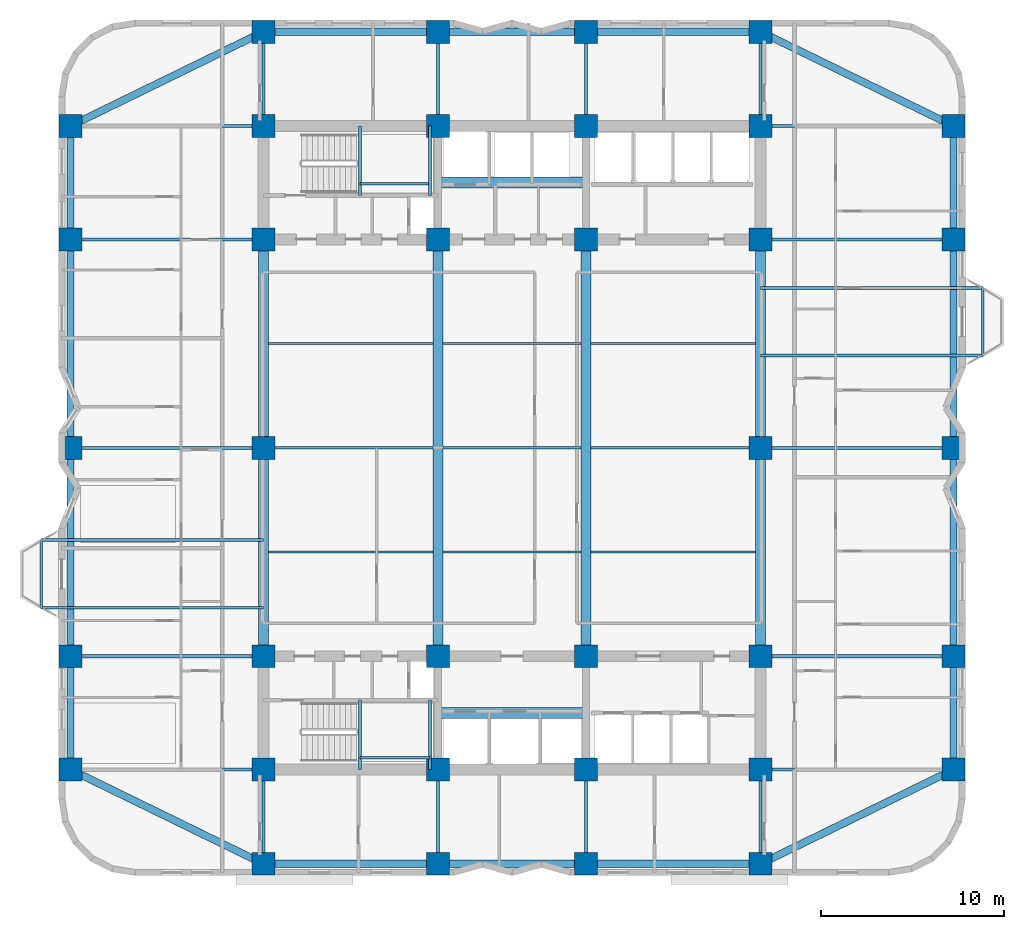
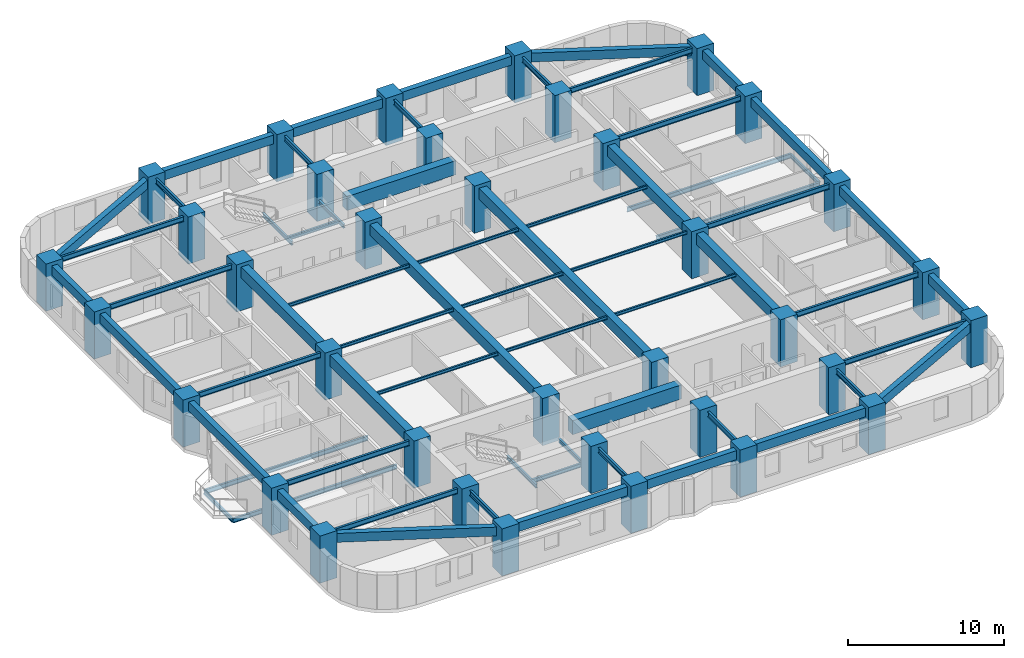
# One storey, part 1 of 11: 65 beams, 36 columns.
"""IFC4 building model written with IfcOpenShell, lengths in metres."""

from ifc_helpers import new_model, si_unit, direction, frame, origin, origin_2d, place, context, subcontext, project, spatial, rectangle, i_section, extrude, material, material_profile, profile_set, type_object, element, save


model = new_model("IFC4")

# Units and contexts
model_context = context("Model", 3, precision=1e-05, world=origin(), true_north=direction((0.0, 1.0)))
body_context = subcontext(model_context, "Body", "Model", "MODEL_VIEW")
ifc_project = project(units=[si_unit("LENGTHUNIT", "METRE"), si_unit("AREAUNIT", "SQUARE_METRE"), si_unit("VOLUMEUNIT", "CUBIC_METRE"), si_unit("PLANEANGLEUNIT", "RADIAN"), si_unit("MASSUNIT", "GRAM", prefix="KILO")], contexts=[model_context])

# Site, building, storey
site_placement = place(None, origin())
site = spatial("IfcSite", under=ifc_project, at=site_placement, CompositionType="ELEMENT")
building_placement = place(site_placement, origin())
building = spatial("IfcBuilding", under=site, at=building_placement, Name="Svetorya Sky Lyceum", CompositionType="ELEMENT")
storey_placement = place(building_placement, frame((0.0, 0.0, 36.199951171875)))
storey = spatial("IfcBuildingStorey", under=building, at=storey_placement, Name="L08", CompositionType="ELEMENT", Elevation=36.199951171875)

# Columns
ifc_material_1 = material(Name="Concrete C60/75", Category="concrete")
ifc_material_profile_1 = material_profile(ifc_material_1, rectangle(XDim=1.25, YDim=1.25, at=origin_2d()), Name="RC COL 1250x1250")
ifc_profile_set_1 = profile_set([ifc_material_profile_1], Name="Concrete C60/75")
column_type = type_object("IfcColumnType", Name="COL-RC-1250", PredefinedType="COLUMN", material=ifc_profile_set_1)
for number, where, z_axis, x_axis, name in (
    (1, (25.60009765625, 10.60009765625, 0.0), (0.0, 0.0, 1.0), (1.0, 0.0, 0.0), "L08 Core Column CS-11"),
    (2, (25.60009765625, 16.800048828125, 0.0), (0.0, 0.0, 1.0), (1.0, 0.0, 0.0), "L08 Core Column CS-12"),
    (3, (35.14990234375, 10.60009765625, 0.0), (0.0, 0.0, 1.0), (1.0, 0.0, 0.0), "L08 Core Column CS-21"),
    (4, (35.14990234375, 16.800048828125, 0.0), (0.0, 0.0, 1.0), (1.0, 0.0, 0.0), "L08 Core Column CS-22"),
    (5, (43.25, 10.60009765625, 0.0), (0.0, 0.0, 1.0), (1.0, 0.0, 0.0), "L08 Core Column CS-31"),
    (6, (43.25, 16.800048828125, 0.0), (0.0, 0.0, 1.0), (1.0, 0.0, 0.0), "L08 Core Column CS-32"),
    (7, (52.800048828125, 10.60009765625, 0.0), (0.0, 0.0, 1.0), (1.0, 0.0, 0.0), "L08 Core Column CS-41"),
    (8, (52.800048828125, 16.800048828125, 0.0), (0.0, 0.0, 1.0), (1.0, 0.0, 0.0), "L08 Core Column CS-42"),
    (9, (25.60009765625, 39.60009765625, 0.0), (0.0, 0.0, 1.0), (1.0, 0.0, 0.0), "L08 Core Column CN-11"),
    (10, (25.60009765625, 45.800048828125, 0.0), (0.0, 0.0, 1.0), (1.0, 0.0, 0.0), "L08 Core Column CN-12"),
    (11, (35.14990234375, 39.60009765625, 0.0), (0.0, 0.0, 1.0), (1.0, 0.0, 0.0), "L08 Core Column CN-21"),
    (12, (35.14990234375, 45.800048828125, 0.0), (0.0, 0.0, 1.0), (1.0, 0.0, 0.0), "L08 Core Column CN-22"),
    (13, (43.25, 39.60009765625, 0.0), (0.0, 0.0, 1.0), (1.0, 0.0, 0.0), "L08 Core Column CN-31"),
    (14, (43.25, 45.800048828125, 0.0), (0.0, 0.0, 1.0), (1.0, 0.0, 0.0), "L08 Core Column CN-32"),
    (15, (52.800048828125, 39.60009765625, 0.0), (0.0, 0.0, 1.0), (1.0, 0.0, 0.0), "L08 Core Column CN-41"),
    (16, (52.800048828125, 45.800048828125, 0.0), (0.0, 0.0, 1.0), (1.0, 0.0, 0.0), "L08 Core Column CN-42"),
    (17, (25.60009765625, 28.199951171875, 0.0), (0.0, 0.0, 1.0), (1.0, 0.0, 0.0), "L08 Core Column CM-W"),
    (18, (52.800048828125, 28.199951171875, 0.0), (0.0, 0.0, 1.0), (1.0, 0.0, 0.0), "L08 Core Column CM-E"),
    (19, (25.60009765625, 5.449951171875, 0.0), (0.0, 0.0, 1.0), (1.0, 0.0, 0.0), "L08 Perimeter Column S1"),
    (20, (25.60009765625, 50.949951171875, 0.0), (0.0, 0.0, 1.0), (1.0, 0.0, 0.0), "L08 Perimeter Column N1"),
    (21, (35.14990234375, 5.449951171875, 0.0), (0.0, 0.0, 1.0), (1.0, 0.0, 0.0), "L08 Perimeter Column S2"),
    (22, (35.14990234375, 50.949951171875, 0.0), (0.0, 0.0, 1.0), (1.0, 0.0, 0.0), "L08 Perimeter Column N2"),
    (23, (43.25, 5.449951171875, 0.0), (0.0, 0.0, 1.0), (1.0, 0.0, 0.0), "L08 Perimeter Column S3"),
    (24, (43.25, 50.949951171875, 0.0), (0.0, 0.0, 1.0), (1.0, 0.0, 0.0), "L08 Perimeter Column N3"),
    (25, (52.800048828125, 5.449951171875, 0.0), (0.0, 0.0, 1.0), (1.0, 0.0, 0.0), "L08 Perimeter Column S4"),
    (26, (52.800048828125, 50.949951171875, 0.0), (0.0, 0.0, 1.0), (1.0, 0.0, 0.0), "L08 Perimeter Column N4"),
    (27, (15.050048828125, 10.60009765625, 0.0), (0.0, 0.0, 1.0), (1.0, 0.0, 0.0), "L08 Perimeter Column W1"),
    (28, (63.35009765625, 10.60009765625, 0.0), (0.0, 0.0, 1.0), (1.0, 0.0, 0.0), "L08 Perimeter Column E1"),
    (29, (15.050048828125, 16.800048828125, 0.0), (0.0, 0.0, 1.0), (1.0, 0.0, 0.0), "L08 Perimeter Column W2"),
    (30, (63.35009765625, 16.800048828125, 0.0), (0.0, 0.0, 1.0), (1.0, 0.0, 0.0), "L08 Perimeter Column E2"),
    (31, (15.050048828125, 28.199951171875, 0.0), (0.0, 0.0, 1.0), (1.0, 0.0, 0.0), "L08 Perimeter Column W3"),
    (32, (63.35009765625, 28.199951171875, 0.0), (0.0, 0.0, 1.0), (1.0, 0.0, 0.0), "L08 Perimeter Column E3"),
    (33, (15.050048828125, 39.60009765625, 0.0), (0.0, 0.0, 1.0), (1.0, 0.0, 0.0), "L08 Perimeter Column W4"),
    (34, (63.35009765625, 39.60009765625, 0.0), (0.0, 0.0, 1.0), (1.0, 0.0, 0.0), "L08 Perimeter Column E4"),
    (35, (15.050048828125, 45.800048828125, 0.0), (0.0, 0.0, 1.0), (1.0, 0.0, 0.0), "L08 Perimeter Column W5"),
    (36, (63.35009765625, 45.800048828125, 0.0), (0.0, 0.0, 1.0), (1.0, 0.0, 0.0), "L08 Perimeter Column E5"),
):
    element("IfcColumn", number, at=place(storey_placement, frame(where, z_axis=z_axis, x_axis=x_axis)), inside=storey, type_object=column_type, Name=name, PredefinedType="COLUMN", context=body_context, shape_type="SweptSolid", body=[
        extrude(rectangle(XDim=1.25, YDim=1.25, at=origin_2d()), origin(), (0.0, 0.0, 1.0), 3.699951171875),
    ])

# Beams
ifc_material_profile_2 = material_profile(ifc_material_1, rectangle(XDim=0.60009765625, YDim=1.10009765625, at=origin_2d()), Name="RC COUPLING 600x1100")
ifc_profile_set_2 = profile_set([ifc_material_profile_2], Name="Concrete C60/75")
beam_type_1 = type_object("IfcBeamType", Name="BM-CPL-1100", PredefinedType="LINTEL", material=ifc_profile_set_2)
for number, where, z_axis, x_axis, name in (
    (37, (35.14990234375, 13.699951171875, 2.8701171875), (1.0, 0.0, 0.0), (0.0, 1.0, 0.0), "L08 SC Core Coupling Beam"),
    (38, (35.14990234375, 42.699951171875, 2.8701171875), (1.0, 0.0, 0.0), (0.0, 1.0, 0.0), "L08 NC Core Coupling Beam"),
):
    element("IfcBeam", number, at=place(storey_placement, frame(where, z_axis=z_axis, x_axis=x_axis)), inside=storey, type_object=beam_type_1, Name=name, PredefinedType="LINTEL", context=body_context, shape_type="SweptSolid", body=[
        extrude(rectangle(XDim=0.60009765625, YDim=1.10009765625, at=origin_2d()), origin(), (0.0, 0.0, 1.0), 8.10009765625),
    ])
ifc_material_2 = material(Name="Concrete C50/60", Category="concrete")
ifc_material_profile_3 = material_profile(ifc_material_2, rectangle(XDim=0.550048828125, YDim=0.85009765625, at=origin_2d()), Name="RC BEAM 550x850")
ifc_profile_set_3 = profile_set([ifc_material_profile_3], Name="Concrete C50/60")
beam_type_2 = type_object("IfcBeamType", Name="BM-RC-850", PredefinedType="BEAM", material=ifc_profile_set_3)
beam_1_placement = place(storey_placement, frame((25.60009765625, 16.800048828125, 2.9951171875), z_axis=(0.0, 1.0, 0.0), x_axis=(-1.0, 0.0, 0.0)))
element("IfcBeam", 39, at=beam_1_placement, inside=storey, type_object=beam_type_2, Name="L08 Central Bay Primary Girder CG-1A", PredefinedType="BEAM", context=body_context, shape_type="SweptSolid", body=[
    extrude(rectangle(XDim=0.550048828125, YDim=0.85009765625, at=origin_2d()), origin(), (0.0, 0.0, 1.0), 11.39990234375),
])
beam_2_placement = place(storey_placement, frame((25.60009765625, 28.199951171875, 2.9951171875), z_axis=(0.0, 1.0, 0.0), x_axis=(-1.0, 0.0, 0.0)))
element("IfcBeam", 40, at=beam_2_placement, inside=storey, type_object=beam_type_2, Name="L08 Central Bay Primary Girder CG-1B", PredefinedType="BEAM", context=body_context, shape_type="SweptSolid", body=[
    extrude(rectangle(XDim=0.550048828125, YDim=0.85009765625, at=origin_2d()), origin(), (0.0, 0.0, 1.0), 11.400146484375),
])
for number, where, z_axis, x_axis, name in (
    (41, (35.14990234375, 16.800048828125, 2.9951171875), (0.0, 1.0, 0.0), (-1.0, 0.0, 0.0), "L08 Central Bay Primary Girder CG-2"),
    (42, (43.25, 16.800048828125, 2.9951171875), (0.0, 1.0, 0.0), (-1.0, 0.0, 0.0), "L08 Central Bay Primary Girder CG-3"),
):
    element("IfcBeam", number, at=place(storey_placement, frame(where, z_axis=z_axis, x_axis=x_axis)), inside=storey, type_object=beam_type_2, Name=name, PredefinedType="BEAM", context=body_context, shape_type="SweptSolid", body=[
        extrude(rectangle(XDim=0.550048828125, YDim=0.85009765625, at=origin_2d()), origin(), (0.0, 0.0, 1.0), 22.800048828125),
    ])
beam_3_placement = place(storey_placement, frame((52.800048828125, 16.800048828125, 2.9951171875), z_axis=(0.0, 1.0, 0.0), x_axis=(-1.0, 0.0, 0.0)))
element("IfcBeam", 43, at=beam_3_placement, inside=storey, type_object=beam_type_2, Name="L08 Central Bay Primary Girder CG-4A", PredefinedType="BEAM", context=body_context, shape_type="SweptSolid", body=[
    extrude(rectangle(XDim=0.550048828125, YDim=0.85009765625, at=origin_2d()), origin(), (0.0, 0.0, 1.0), 11.39990234375),
])
beam_4_placement = place(storey_placement, frame((52.800048828125, 28.199951171875, 2.9951171875), z_axis=(0.0, 1.0, 0.0), x_axis=(-1.0, 0.0, 0.0)))
element("IfcBeam", 44, at=beam_4_placement, inside=storey, type_object=beam_type_2, Name="L08 Central Bay Primary Girder CG-4B", PredefinedType="BEAM", context=body_context, shape_type="SweptSolid", body=[
    extrude(rectangle(XDim=0.550048828125, YDim=0.85009765625, at=origin_2d()), origin(), (0.0, 0.0, 1.0), 11.400146484375),
])
ifc_material_profile_4 = material_profile(ifc_material_2, rectangle(XDim=0.39990234375, YDim=0.699951171875, at=origin_2d()), Name="RC SPANDREL 400x700")
ifc_profile_set_4 = profile_set([ifc_material_profile_4], Name="Concrete C50/60")
beam_type_3 = type_object("IfcBeamType", Name="BM-SPN-700", PredefinedType="SPANDREL", material=ifc_profile_set_4)
beam_5_placement = place(storey_placement, frame((25.60009765625, 5.449951171875, 3.070068359375), z_axis=(1.0, 0.0, 0.0), x_axis=(0.0, 1.0, 0.0)))
element("IfcBeam", 45, at=beam_5_placement, inside=storey, type_object=beam_type_3, Name="L08 South Spandrel 1", PredefinedType="SPANDREL", context=body_context, shape_type="SweptSolid", body=[
    extrude(rectangle(XDim=0.39990234375, YDim=0.699951171875, at=origin_2d()), origin(), (0.0, 0.0, 1.0), 9.5498046875),
])
beam_6_placement = place(storey_placement, frame((35.14990234375, 5.449951171875, 3.070068359375), z_axis=(1.0, 0.0, 0.0), x_axis=(0.0, 1.0, 0.0)))
element("IfcBeam", 46, at=beam_6_placement, inside=storey, type_object=beam_type_3, Name="L08 South Spandrel 2", PredefinedType="SPANDREL", context=body_context, shape_type="SweptSolid", body=[
    extrude(rectangle(XDim=0.39990234375, YDim=0.699951171875, at=origin_2d()), origin(), (0.0, 0.0, 1.0), 8.10009765625),
])
beam_7_placement = place(storey_placement, frame((43.25, 5.449951171875, 3.070068359375), z_axis=(1.0, 0.0, 0.0), x_axis=(0.0, 1.0, 0.0)))
element("IfcBeam", 47, at=beam_7_placement, inside=storey, type_object=beam_type_3, Name="L08 South Spandrel 3", PredefinedType="SPANDREL", context=body_context, shape_type="SweptSolid", body=[
    extrude(rectangle(XDim=0.39990234375, YDim=0.699951171875, at=origin_2d()), origin(), (0.0, 0.0, 1.0), 9.550048828125),
])
beam_8_placement = place(storey_placement, frame((25.60009765625, 50.949951171875, 3.070068359375), z_axis=(1.0, 0.0, 0.0), x_axis=(0.0, 1.0, 0.0)))
element("IfcBeam", 48, at=beam_8_placement, inside=storey, type_object=beam_type_3, Name="L08 North Spandrel 1", PredefinedType="SPANDREL", context=body_context, shape_type="SweptSolid", body=[
    extrude(rectangle(XDim=0.39990234375, YDim=0.699951171875, at=origin_2d()), origin(), (0.0, 0.0, 1.0), 9.5498046875),
])
beam_9_placement = place(storey_placement, frame((35.14990234375, 50.949951171875, 3.070068359375), z_axis=(1.0, 0.0, 0.0), x_axis=(0.0, 1.0, 0.0)))
element("IfcBeam", 49, at=beam_9_placement, inside=storey, type_object=beam_type_3, Name="L08 North Spandrel 2", PredefinedType="SPANDREL", context=body_context, shape_type="SweptSolid", body=[
    extrude(rectangle(XDim=0.39990234375, YDim=0.699951171875, at=origin_2d()), origin(), (0.0, 0.0, 1.0), 8.10009765625),
])
beam_10_placement = place(storey_placement, frame((43.25, 50.949951171875, 3.070068359375), z_axis=(1.0, 0.0, 0.0), x_axis=(0.0, 1.0, 0.0)))
element("IfcBeam", 50, at=beam_10_placement, inside=storey, type_object=beam_type_3, Name="L08 North Spandrel 3", PredefinedType="SPANDREL", context=body_context, shape_type="SweptSolid", body=[
    extrude(rectangle(XDim=0.39990234375, YDim=0.699951171875, at=origin_2d()), origin(), (0.0, 0.0, 1.0), 9.550048828125),
])
for number, where, z_axis, x_axis, name in (
    (51, (25.60009765625, 5.449951171875, 3.070068359375), (-0.898641495694, 0.438683783854, 0.0), (-0.438683783854, -0.898641495694, 0.0), "L08 Corner Spandrel 1"),
    (52, (52.800048828125, 5.449951171875, 3.070068359375), (0.898641495694, 0.438683783854, 0.0), (-0.438683783854, 0.898641495694, 0.0), "L08 Corner Spandrel 2"),
    (53, (63.35009765625, 45.800048828125, 3.070068359375), (-0.898649693653, 0.438666989978, 0.0), (-0.438666989978, -0.898649693653, 0.0), "L08 Corner Spandrel 3"),
    (54, (15.050048828125, 45.800048828125, 3.070068359375), (0.898649693653, 0.438666989978, 0.0), (-0.438666989978, 0.898649693653, 0.0), "L08 Corner Spandrel 4"),
):
    element("IfcBeam", number, at=place(storey_placement, frame(where, z_axis=z_axis, x_axis=x_axis)), inside=storey, type_object=beam_type_3, Name=name, PredefinedType="SPANDREL", context=body_context, shape_type="SweptSolid", body=[
        extrude(rectangle(XDim=0.39990234375, YDim=0.699951171875, at=origin_2d()), origin(), (0.0, 0.0, 1.0), 11.739990234375),
    ])
beam_11_placement = place(storey_placement, frame((15.050048828125, 10.60009765625, 3.070068359375), z_axis=(0.0, 1.0, 0.0), x_axis=(-1.0, 0.0, 0.0)))
element("IfcBeam", 55, at=beam_11_placement, inside=storey, type_object=beam_type_3, Name="L08 West Spandrel 1", PredefinedType="SPANDREL", context=body_context, shape_type="SweptSolid", body=[
    extrude(rectangle(XDim=0.39990234375, YDim=0.699951171875, at=origin_2d()), origin(), (0.0, 0.0, 1.0), 6.199951171875),
])
beam_12_placement = place(storey_placement, frame((15.050048828125, 16.800048828125, 3.070068359375), z_axis=(0.0, 1.0, 0.0), x_axis=(-1.0, 0.0, 0.0)))
element("IfcBeam", 56, at=beam_12_placement, inside=storey, type_object=beam_type_3, Name="L08 West Spandrel 2", PredefinedType="SPANDREL", context=body_context, shape_type="SweptSolid", body=[
    extrude(rectangle(XDim=0.39990234375, YDim=0.699951171875, at=origin_2d()), origin(), (0.0, 0.0, 1.0), 11.39990234375),
])
beam_13_placement = place(storey_placement, frame((15.050048828125, 28.199951171875, 3.070068359375), z_axis=(0.0, 1.0, 0.0), x_axis=(-1.0, 0.0, 0.0)))
element("IfcBeam", 57, at=beam_13_placement, inside=storey, type_object=beam_type_3, Name="L08 West Spandrel 3", PredefinedType="SPANDREL", context=body_context, shape_type="SweptSolid", body=[
    extrude(rectangle(XDim=0.39990234375, YDim=0.699951171875, at=origin_2d()), origin(), (0.0, 0.0, 1.0), 11.400146484375),
])
for number, where, z_axis, x_axis, name in (
    (58, (15.050048828125, 39.60009765625, 3.070068359375), (0.0, 1.0, 0.0), (-1.0, 0.0, 0.0), "L08 West Spandrel 4"),
    (59, (63.35009765625, 10.60009765625, 3.070068359375), (0.0, 1.0, 0.0), (-1.0, 0.0, 0.0), "L08 East Spandrel 1"),
):
    element("IfcBeam", number, at=place(storey_placement, frame(where, z_axis=z_axis, x_axis=x_axis)), inside=storey, type_object=beam_type_3, Name=name, PredefinedType="SPANDREL", context=body_context, shape_type="SweptSolid", body=[
        extrude(rectangle(XDim=0.39990234375, YDim=0.699951171875, at=origin_2d()), origin(), (0.0, 0.0, 1.0), 6.199951171875),
    ])
beam_14_placement = place(storey_placement, frame((63.35009765625, 16.800048828125, 3.070068359375), z_axis=(0.0, 1.0, 0.0), x_axis=(-1.0, 0.0, 0.0)))
element("IfcBeam", 60, at=beam_14_placement, inside=storey, type_object=beam_type_3, Name="L08 East Spandrel 2", PredefinedType="SPANDREL", context=body_context, shape_type="SweptSolid", body=[
    extrude(rectangle(XDim=0.39990234375, YDim=0.699951171875, at=origin_2d()), origin(), (0.0, 0.0, 1.0), 11.39990234375),
])
beam_15_placement = place(storey_placement, frame((63.35009765625, 28.199951171875, 3.070068359375), z_axis=(0.0, 1.0, 0.0), x_axis=(-1.0, 0.0, 0.0)))
element("IfcBeam", 61, at=beam_15_placement, inside=storey, type_object=beam_type_3, Name="L08 East Spandrel 3", PredefinedType="SPANDREL", context=body_context, shape_type="SweptSolid", body=[
    extrude(rectangle(XDim=0.39990234375, YDim=0.699951171875, at=origin_2d()), origin(), (0.0, 0.0, 1.0), 11.400146484375),
])
beam_16_placement = place(storey_placement, frame((63.35009765625, 39.60009765625, 3.070068359375), z_axis=(0.0, 1.0, 0.0), x_axis=(-1.0, 0.0, 0.0)))
element("IfcBeam", 62, at=beam_16_placement, inside=storey, type_object=beam_type_3, Name="L08 East Spandrel 4", PredefinedType="SPANDREL", context=body_context, shape_type="SweptSolid", body=[
    extrude(rectangle(XDim=0.39990234375, YDim=0.699951171875, at=origin_2d()), origin(), (0.0, 0.0, 1.0), 6.199951171875),
])
ifc_material_3 = material(Name="Steel S355", Category="steel")
ifc_material_profile_5 = material_profile(ifc_material_3, i_section(OverallWidth=0.1240234375, OverallDepth=0.248046875, WebThickness=0.006103515625, FlangeThickness=0.009521484375, at=origin_2d()), Name="GOST 25B2")
ifc_profile_set_5 = profile_set([ifc_material_profile_5], Name="Steel S355")
beam_type_4 = type_object("IfcBeamType", Name="BM-STL-25B2", PredefinedType="JOIST", material=ifc_profile_set_5)
beam_17_placement = place(storey_placement, frame((25.875, 22.5, 3.296142578125), z_axis=(1.0, 0.0, 0.0), x_axis=(0.0, 1.0, 0.0)))
element("IfcBeam", 63, at=beam_17_placement, inside=storey, type_object=beam_type_4, Name="L08 Central Floor Joist CJ-1.1", PredefinedType="JOIST", context=body_context, shape_type="SweptSolid", body=[
    extrude(i_section(OverallWidth=0.1240234375, OverallDepth=0.248046875, WebThickness=0.006103515625, FlangeThickness=0.009521484375, at=origin_2d()), origin(), (0.0, 0.0, 1.0), 9.0),
])
beam_18_placement = place(storey_placement, frame((35.425048828125, 22.5, 3.296142578125), z_axis=(1.0, 0.0, 0.0), x_axis=(0.0, 1.0, 0.0)))
element("IfcBeam", 64, at=beam_18_placement, inside=storey, type_object=beam_type_4, Name="L08 Central Floor Joist CJ-1.2", PredefinedType="JOIST", context=body_context, shape_type="SweptSolid", body=[
    extrude(i_section(OverallWidth=0.1240234375, OverallDepth=0.248046875, WebThickness=0.006103515625, FlangeThickness=0.009521484375, at=origin_2d()), origin(), (0.0, 0.0, 1.0), 7.550048828125),
])
for number, where, z_axis, x_axis, name in (
    (65, (43.52490234375, 22.5, 3.296142578125), (1.0, 0.0, 0.0), (0.0, 1.0, 0.0), "L08 Central Floor Joist CJ-1.3"),
    (66, (25.875, 28.199951171875, 3.296142578125), (1.0, 0.0, 0.0), (0.0, 1.0, 0.0), "L08 Central Floor Joist CJ-2.1"),
):
    element("IfcBeam", number, at=place(storey_placement, frame(where, z_axis=z_axis, x_axis=x_axis)), inside=storey, type_object=beam_type_4, Name=name, PredefinedType="JOIST", context=body_context, shape_type="SweptSolid", body=[
        extrude(i_section(OverallWidth=0.1240234375, OverallDepth=0.248046875, WebThickness=0.006103515625, FlangeThickness=0.009521484375, at=origin_2d()), origin(), (0.0, 0.0, 1.0), 9.0),
    ])
beam_19_placement = place(storey_placement, frame((35.425048828125, 28.199951171875, 3.296142578125), z_axis=(1.0, 0.0, 0.0), x_axis=(0.0, 1.0, 0.0)))
element("IfcBeam", 67, at=beam_19_placement, inside=storey, type_object=beam_type_4, Name="L08 Central Floor Joist CJ-2.2", PredefinedType="JOIST", context=body_context, shape_type="SweptSolid", body=[
    extrude(i_section(OverallWidth=0.1240234375, OverallDepth=0.248046875, WebThickness=0.006103515625, FlangeThickness=0.009521484375, at=origin_2d()), origin(), (0.0, 0.0, 1.0), 7.550048828125),
])
for number, where, z_axis, x_axis, name in (
    (68, (43.52490234375, 28.199951171875, 3.296142578125), (1.0, 0.0, 0.0), (0.0, 1.0, 0.0), "L08 Central Floor Joist CJ-2.3"),
    (69, (25.875, 33.89990234375, 3.296142578125), (1.0, 0.0, 0.0), (0.0, 1.0, 0.0), "L08 Central Floor Joist CJ-3.1"),
):
    element("IfcBeam", number, at=place(storey_placement, frame(where, z_axis=z_axis, x_axis=x_axis)), inside=storey, type_object=beam_type_4, Name=name, PredefinedType="JOIST", context=body_context, shape_type="SweptSolid", body=[
        extrude(i_section(OverallWidth=0.1240234375, OverallDepth=0.248046875, WebThickness=0.006103515625, FlangeThickness=0.009521484375, at=origin_2d()), origin(), (0.0, 0.0, 1.0), 9.0),
    ])
beam_20_placement = place(storey_placement, frame((35.425048828125, 33.89990234375, 3.296142578125), z_axis=(1.0, 0.0, 0.0), x_axis=(0.0, 1.0, 0.0)))
element("IfcBeam", 70, at=beam_20_placement, inside=storey, type_object=beam_type_4, Name="L08 Central Floor Joist CJ-3.2", PredefinedType="JOIST", context=body_context, shape_type="SweptSolid", body=[
    extrude(i_section(OverallWidth=0.1240234375, OverallDepth=0.248046875, WebThickness=0.006103515625, FlangeThickness=0.009521484375, at=origin_2d()), origin(), (0.0, 0.0, 1.0), 7.550048828125),
])
beam_21_placement = place(storey_placement, frame((43.52490234375, 33.89990234375, 3.296142578125), z_axis=(1.0, 0.0, 0.0), x_axis=(0.0, 1.0, 0.0)))
element("IfcBeam", 71, at=beam_21_placement, inside=storey, type_object=beam_type_4, Name="L08 Central Floor Joist CJ-3.3", PredefinedType="JOIST", context=body_context, shape_type="SweptSolid", body=[
    extrude(i_section(OverallWidth=0.1240234375, OverallDepth=0.248046875, WebThickness=0.006103515625, FlangeThickness=0.009521484375, at=origin_2d()), origin(), (0.0, 0.0, 1.0), 9.0),
])
ifc_material_profile_6 = material_profile(ifc_material_3, i_section(OverallWidth=0.14990234375, OverallDepth=0.299072265625, WebThickness=0.006591796875, FlangeThickness=0.010498046875, at=origin_2d()), Name="GOST 30B2")
ifc_profile_set_6 = profile_set([ifc_material_profile_6], Name="Steel S355")
beam_type_5 = type_object("IfcBeamType", Name="BM-STL-30B2", PredefinedType="JOIST", material=ifc_profile_set_6)
for number, where, z_axis, x_axis, name in (
    (72, (13.449951171875, 19.449951171875, -0.454345703125), (0.0, 1.0, 0.0), (-1.0, 0.0, 0.0), "L08 Balcony Edge Tie BAL-W1"),
    (73, (64.949951171875, 33.25, -0.454345703125), (0.0, 1.0, 0.0), (-1.0, 0.0, 0.0), "L08 Balcony Edge Tie BAL-E1"),
):
    element("IfcBeam", number, at=place(storey_placement, frame(where, z_axis=z_axis, x_axis=x_axis)), inside=storey, type_object=beam_type_5, Name=name, PredefinedType="JOIST", context=body_context, shape_type="SweptSolid", body=[
        extrude(i_section(OverallWidth=0.14990234375, OverallDepth=0.299072265625, WebThickness=0.006591796875, FlangeThickness=0.010498046875, at=origin_2d()), origin(), (0.0, 0.0, 1.0), 3.699951171875),
    ])
for number, where, z_axis, x_axis, name in (
    (74, (30.8798828125, 10.60009765625, 1.50048828125), (0.0, 1.0, 0.0), (-1.0, 0.0, 0.0), "L08 Stair ST-S Half-Landing Support Beam 10.1"),
    (75, (34.719970703125, 10.60009765625, 1.50048828125), (0.0, 1.0, 0.0), (-1.0, 0.0, 0.0), "L08 Stair ST-S Half-Landing Support Beam 10.2"),
):
    element("IfcBeam", number, at=place(storey_placement, frame(where, z_axis=z_axis, x_axis=x_axis)), inside=storey, type_object=beam_type_5, Name=name, PredefinedType="JOIST", context=body_context, shape_type="SweptSolid", body=[
        extrude(i_section(OverallWidth=0.14990234375, OverallDepth=0.299072265625, WebThickness=0.006591796875, FlangeThickness=0.010498046875, at=origin_2d()), origin(), (0.0, 0.0, 1.0), 3.7998046875),
    ])
beam_22_placement = place(storey_placement, frame((30.8798828125, 11.25, 1.50048828125), z_axis=(1.0, 0.0, 0.0), x_axis=(0.0, 1.0, 0.0)))
element("IfcBeam", 76, at=beam_22_placement, inside=storey, type_object=beam_type_5, Name="L08 Stair ST-S Half-Landing Cross Tie 10", PredefinedType="JOIST", context=body_context, shape_type="SweptSolid", body=[
    extrude(i_section(OverallWidth=0.14990234375, OverallDepth=0.299072265625, WebThickness=0.006591796875, FlangeThickness=0.010498046875, at=origin_2d()), origin(), (0.0, 0.0, 1.0), 3.840087890625),
])
for number, where, z_axis, x_axis, name in (
    (77, (30.8798828125, 42.0, 1.50048828125), (0.0, 1.0, 0.0), (-1.0, 0.0, 0.0), "L08 Stair ST-N Half-Landing Support Beam 10.1"),
    (78, (34.719970703125, 42.0, 1.50048828125), (0.0, 1.0, 0.0), (-1.0, 0.0, 0.0), "L08 Stair ST-N Half-Landing Support Beam 10.2"),
):
    element("IfcBeam", number, at=place(storey_placement, frame(where, z_axis=z_axis, x_axis=x_axis)), inside=storey, type_object=beam_type_5, Name=name, PredefinedType="JOIST", context=body_context, shape_type="SweptSolid", body=[
        extrude(i_section(OverallWidth=0.14990234375, OverallDepth=0.299072265625, WebThickness=0.006591796875, FlangeThickness=0.010498046875, at=origin_2d()), origin(), (0.0, 0.0, 1.0), 3.800048828125),
    ])
beam_23_placement = place(storey_placement, frame((30.8798828125, 42.64990234375, 1.50048828125), z_axis=(1.0, 0.0, 0.0), x_axis=(0.0, 1.0, 0.0)))
element("IfcBeam", 79, at=beam_23_placement, inside=storey, type_object=beam_type_5, Name="L08 Stair ST-N Half-Landing Cross Tie 10", PredefinedType="JOIST", context=body_context, shape_type="SweptSolid", body=[
    extrude(i_section(OverallWidth=0.14990234375, OverallDepth=0.299072265625, WebThickness=0.006591796875, FlangeThickness=0.010498046875, at=origin_2d()), origin(), (0.0, 0.0, 1.0), 3.840087890625),
])
ifc_material_profile_7 = material_profile(ifc_material_3, i_section(OverallWidth=0.155029296875, OverallDepth=0.34912109375, WebThickness=0.007080078125, FlangeThickness=0.011474609375, at=origin_2d()), Name="GOST 35B2")
ifc_profile_set_7 = profile_set([ifc_material_profile_7], Name="Steel S355")
beam_type_6 = type_object("IfcBeamType", Name="BM-STL-35B2", PredefinedType="JOIST", material=ifc_profile_set_7)
for number, where, z_axis, x_axis, name in (
    (80, (25.60009765625, 19.449951171875, -0.454345703125), (-1.0, 0.0, 0.0), (0.0, -1.0, 0.0), "L08 Balcony Cantilever Beam BAL-W1-1"),
    (81, (25.60009765625, 23.14990234375, -0.454345703125), (-1.0, 0.0, 0.0), (0.0, -1.0, 0.0), "L08 Balcony Cantilever Beam BAL-W1-2"),
):
    element("IfcBeam", number, at=place(storey_placement, frame(where, z_axis=z_axis, x_axis=x_axis)), inside=storey, type_object=beam_type_6, Name=name, PredefinedType="JOIST", context=body_context, shape_type="SweptSolid", body=[
        extrude(i_section(OverallWidth=0.155029296875, OverallDepth=0.34912109375, WebThickness=0.007080078125, FlangeThickness=0.011474609375, at=origin_2d()), origin(), (0.0, 0.0, 1.0), 12.150146484375),
    ])
for number, where, z_axis, x_axis, name in (
    (82, (52.800048828125, 33.25, -0.454345703125), (1.0, 0.0, 0.0), (0.0, 1.0, 0.0), "L08 Balcony Cantilever Beam BAL-E1-1"),
    (83, (52.800048828125, 36.949951171875, -0.454345703125), (1.0, 0.0, 0.0), (0.0, 1.0, 0.0), "L08 Balcony Cantilever Beam BAL-E1-2"),
):
    element("IfcBeam", number, at=place(storey_placement, frame(where, z_axis=z_axis, x_axis=x_axis)), inside=storey, type_object=beam_type_6, Name=name, PredefinedType="JOIST", context=body_context, shape_type="SweptSolid", body=[
        extrude(i_section(OverallWidth=0.155029296875, OverallDepth=0.34912109375, WebThickness=0.007080078125, FlangeThickness=0.011474609375, at=origin_2d()), origin(), (0.0, 0.0, 1.0), 12.14990234375),
    ])
ifc_material_profile_8 = material_profile(ifc_material_3, i_section(OverallWidth=0.1650390625, OverallDepth=0.39990234375, WebThickness=0.008056640625, FlangeThickness=0.012939453125, at=origin_2d()), Name="GOST 40B2")
ifc_profile_set_8 = profile_set([ifc_material_profile_8], Name="Steel S355")
beam_type_7 = type_object("IfcBeamType", Name="BM-STL-40B2", PredefinedType="JOIST", material=ifc_profile_set_8)
for number, where, z_axis, x_axis, name in (
    (84, (15.050048828125, 10.60009765625, 3.219970703125), (1.0, 0.0, 0.0), (0.0, 1.0, 0.0), "L08 West Wing Floor Joist W1"),
    (85, (52.800048828125, 10.60009765625, 3.219970703125), (1.0, 0.0, 0.0), (0.0, 1.0, 0.0), "L08 East Wing Floor Joist E1"),
    (86, (15.050048828125, 16.800048828125, 3.219970703125), (1.0, 0.0, 0.0), (0.0, 1.0, 0.0), "L08 West Wing Floor Joist W2"),
    (87, (52.800048828125, 16.800048828125, 3.219970703125), (1.0, 0.0, 0.0), (0.0, 1.0, 0.0), "L08 East Wing Floor Joist E2"),
    (88, (15.050048828125, 28.199951171875, 3.219970703125), (1.0, 0.0, 0.0), (0.0, 1.0, 0.0), "L08 West Wing Floor Joist W3"),
    (89, (52.800048828125, 28.199951171875, 3.219970703125), (1.0, 0.0, 0.0), (0.0, 1.0, 0.0), "L08 East Wing Floor Joist E3"),
    (90, (15.050048828125, 39.60009765625, 3.219970703125), (1.0, 0.0, 0.0), (0.0, 1.0, 0.0), "L08 West Wing Floor Joist W4"),
    (91, (52.800048828125, 39.60009765625, 3.219970703125), (1.0, 0.0, 0.0), (0.0, 1.0, 0.0), "L08 East Wing Floor Joist E4"),
    (92, (15.050048828125, 45.800048828125, 3.219970703125), (1.0, 0.0, 0.0), (0.0, 1.0, 0.0), "L08 West Wing Floor Joist W5"),
    (93, (52.800048828125, 45.800048828125, 3.219970703125), (1.0, 0.0, 0.0), (0.0, 1.0, 0.0), "L08 East Wing Floor Joist E5"),
):
    element("IfcBeam", number, at=place(storey_placement, frame(where, z_axis=z_axis, x_axis=x_axis)), inside=storey, type_object=beam_type_7, Name=name, PredefinedType="JOIST", context=body_context, shape_type="SweptSolid", body=[
        extrude(i_section(OverallWidth=0.1650390625, OverallDepth=0.39990234375, WebThickness=0.008056640625, FlangeThickness=0.012939453125, at=origin_2d()), origin(), (0.0, 0.0, 1.0), 10.550048828125),
    ])
beam_24_placement = place(storey_placement, frame((25.60009765625, 5.449951171875, 3.219970703125), z_axis=(0.0, 1.0, 0.0), x_axis=(-1.0, 0.0, 0.0)))
element("IfcBeam", 94, at=beam_24_placement, inside=storey, type_object=beam_type_7, Name="L08 South Bay Floor Girder S1", PredefinedType="JOIST", context=body_context, shape_type="SweptSolid", body=[
    extrude(i_section(OverallWidth=0.1650390625, OverallDepth=0.39990234375, WebThickness=0.008056640625, FlangeThickness=0.012939453125, at=origin_2d()), origin(), (0.0, 0.0, 1.0), 5.150146484375),
])
beam_25_placement = place(storey_placement, frame((25.60009765625, 45.800048828125, 3.219970703125), z_axis=(0.0, 1.0, 0.0), x_axis=(-1.0, 0.0, 0.0)))
element("IfcBeam", 95, at=beam_25_placement, inside=storey, type_object=beam_type_7, Name="L08 North Bay Floor Girder N1", PredefinedType="JOIST", context=body_context, shape_type="SweptSolid", body=[
    extrude(i_section(OverallWidth=0.1650390625, OverallDepth=0.39990234375, WebThickness=0.008056640625, FlangeThickness=0.012939453125, at=origin_2d()), origin(), (0.0, 0.0, 1.0), 5.14990234375),
])
beam_26_placement = place(storey_placement, frame((35.14990234375, 5.449951171875, 3.219970703125), z_axis=(0.0, 1.0, 0.0), x_axis=(-1.0, 0.0, 0.0)))
element("IfcBeam", 96, at=beam_26_placement, inside=storey, type_object=beam_type_7, Name="L08 South Bay Floor Girder S2", PredefinedType="JOIST", context=body_context, shape_type="SweptSolid", body=[
    extrude(i_section(OverallWidth=0.1650390625, OverallDepth=0.39990234375, WebThickness=0.008056640625, FlangeThickness=0.012939453125, at=origin_2d()), origin(), (0.0, 0.0, 1.0), 5.150146484375),
])
beam_27_placement = place(storey_placement, frame((35.14990234375, 45.800048828125, 3.219970703125), z_axis=(0.0, 1.0, 0.0), x_axis=(-1.0, 0.0, 0.0)))
element("IfcBeam", 97, at=beam_27_placement, inside=storey, type_object=beam_type_7, Name="L08 North Bay Floor Girder N2", PredefinedType="JOIST", context=body_context, shape_type="SweptSolid", body=[
    extrude(i_section(OverallWidth=0.1650390625, OverallDepth=0.39990234375, WebThickness=0.008056640625, FlangeThickness=0.012939453125, at=origin_2d()), origin(), (0.0, 0.0, 1.0), 5.14990234375),
])
beam_28_placement = place(storey_placement, frame((43.25, 5.449951171875, 3.219970703125), z_axis=(0.0, 1.0, 0.0), x_axis=(-1.0, 0.0, 0.0)))
element("IfcBeam", 98, at=beam_28_placement, inside=storey, type_object=beam_type_7, Name="L08 South Bay Floor Girder S3", PredefinedType="JOIST", context=body_context, shape_type="SweptSolid", body=[
    extrude(i_section(OverallWidth=0.1650390625, OverallDepth=0.39990234375, WebThickness=0.008056640625, FlangeThickness=0.012939453125, at=origin_2d()), origin(), (0.0, 0.0, 1.0), 5.150146484375),
])
beam_29_placement = place(storey_placement, frame((43.25, 45.800048828125, 3.219970703125), z_axis=(0.0, 1.0, 0.0), x_axis=(-1.0, 0.0, 0.0)))
element("IfcBeam", 99, at=beam_29_placement, inside=storey, type_object=beam_type_7, Name="L08 North Bay Floor Girder N3", PredefinedType="JOIST", context=body_context, shape_type="SweptSolid", body=[
    extrude(i_section(OverallWidth=0.1650390625, OverallDepth=0.39990234375, WebThickness=0.008056640625, FlangeThickness=0.012939453125, at=origin_2d()), origin(), (0.0, 0.0, 1.0), 5.14990234375),
])
beam_30_placement = place(storey_placement, frame((52.800048828125, 5.449951171875, 3.219970703125), z_axis=(0.0, 1.0, 0.0), x_axis=(-1.0, 0.0, 0.0)))
element("IfcBeam", 100, at=beam_30_placement, inside=storey, type_object=beam_type_7, Name="L08 South Bay Floor Girder S4", PredefinedType="JOIST", context=body_context, shape_type="SweptSolid", body=[
    extrude(i_section(OverallWidth=0.1650390625, OverallDepth=0.39990234375, WebThickness=0.008056640625, FlangeThickness=0.012939453125, at=origin_2d()), origin(), (0.0, 0.0, 1.0), 5.150146484375),
])
beam_31_placement = place(storey_placement, frame((52.800048828125, 45.800048828125, 3.219970703125), z_axis=(0.0, 1.0, 0.0), x_axis=(-1.0, 0.0, 0.0)))
element("IfcBeam", 101, at=beam_31_placement, inside=storey, type_object=beam_type_7, Name="L08 North Bay Floor Girder N4", PredefinedType="JOIST", context=body_context, shape_type="SweptSolid", body=[
    extrude(i_section(OverallWidth=0.1650390625, OverallDepth=0.39990234375, WebThickness=0.008056640625, FlangeThickness=0.012939453125, at=origin_2d()), origin(), (0.0, 0.0, 1.0), 5.14990234375),
])

save(model, "model.ifc")
